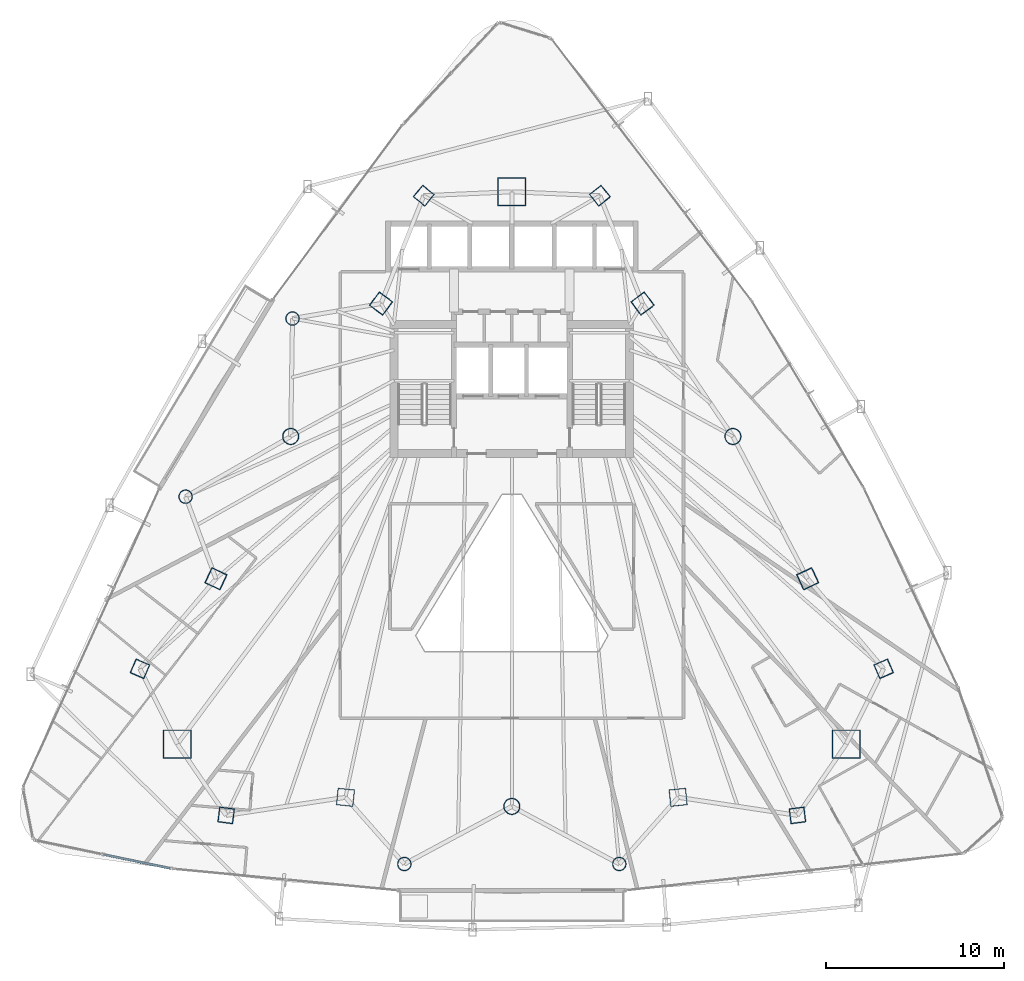
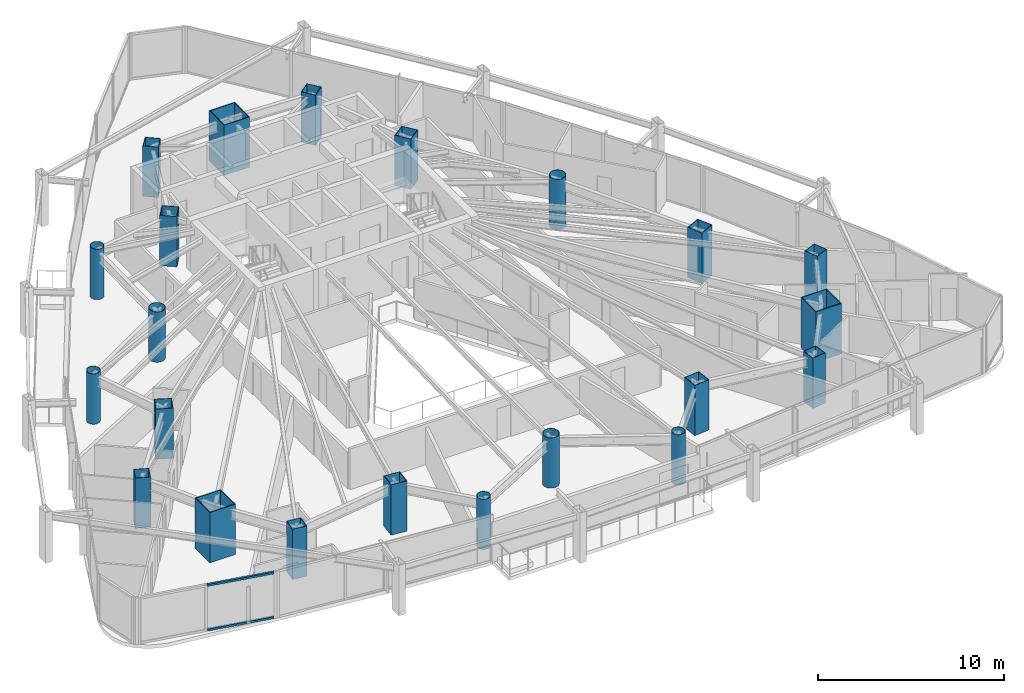
# One storey, part 1 of 34: 22 columns, 2 members, 1 element without a shape of its own.
"""IFC4 building model written with IfcOpenShell, lengths in metres."""

from ifc_helpers import new_model, si_unit, direction, frame, origin, origin_2d, place, context, subcontext, project, spatial, hollow_rectangle, hollow_circle, extrude, material, layer, layer_set, material_profile, profile_set, type_object, element, aggregate, save


model = new_model("IFC4")

# Units and contexts
model_context = context("Model", 3, precision=1e-05, world=origin(), true_north=direction((0.0, 1.0)))
body_context = subcontext(model_context, "Body", "Model", "MODEL_VIEW")
ifc_project = project(units=[si_unit("LENGTHUNIT", "METRE"), si_unit("AREAUNIT", "SQUARE_METRE"), si_unit("VOLUMEUNIT", "CUBIC_METRE"), si_unit("PLANEANGLEUNIT", "RADIAN"), si_unit("MASSUNIT", "GRAM", prefix="KILO")], contexts=[model_context])

# Site, building, storey
site_placement = place(None, origin())
site = spatial("IfcSite", under=ifc_project, at=site_placement, CompositionType="ELEMENT")
building_placement = place(site_placement, origin())
building = spatial("IfcBuilding", under=site, at=building_placement, Name="Orvanel Arch Residences", CompositionType="ELEMENT")
storey_placement = place(building_placement, frame((0.0, 0.0, 74.14990234375)))
storey = spatial("IfcBuildingStorey", under=building, at=storey_placement, Name="L20", CompositionType="ELEMENT", Elevation=74.14990234375)

# Columns
ifc_material_1 = material(Name="Structural steel AS/NZS 1163 C450L0 (Grade 450)", Category="steel")
ifc_material_profile_1 = material_profile(ifc_material_1, hollow_circle(Radius=0.381103515625, WallThickness=0.02197265625, at=origin_2d()), Name="CHS762x22")
ifc_profile_set_1 = profile_set([ifc_material_profile_1], Name="Structural steel AS/NZS 1163 C450L0 (Grade 450)")
column_type_1 = type_object("IfcColumnType", Name="CC-762", PredefinedType="COLUMN", material=ifc_profile_set_1)
for number, where, z_axis, x_axis, name in (
    (1, (20.669921875, 34.27099609375, 0.0), (0.0, 0.0, 1.0), (1.0, 0.0, 0.0), "L20 Low-Rise Buttress Tube Column 01"),
    (2, (14.662109375, 24.256103515625, 0.0), (0.0, 0.0, 1.0), (1.0, 0.0, 0.0), "L20 Low-Rise Buttress Tube Column 02"),
    (3, (26.9580078125, 3.60498046875, 0.0), (0.0, 0.0, 1.0), (1.0, 0.0, 0.0), "L20 Low-Rise Buttress Tube Column 03"),
    (4, (39.0419921875, 3.60498046875, 0.0), (0.0, 0.0, 1.0), (1.0, 0.0, 0.0), "L20 Low-Rise Buttress Tube Column 04"),
):
    element("IfcColumn", number, at=place(storey_placement, frame(where, z_axis=z_axis, x_axis=x_axis)), inside=storey, type_object=column_type_1, Name=name, PredefinedType="COLUMN", context=body_context, shape_type="SweptSolid", body=[
        extrude(hollow_circle(Radius=0.381103515625, WallThickness=0.02197265625, at=origin_2d()), origin(), (0.0, 0.0, 1.0), 3.300048828125),
    ])
ifc_material_profile_2 = material_profile(ifc_material_1, hollow_circle(Radius=0.45703125, WallThickness=0.02490234375, at=origin_2d()), Name="CHS914x25")
ifc_profile_set_2 = profile_set([ifc_material_profile_2], Name="Structural steel AS/NZS 1163 C450L0 (Grade 450)")
column_type_2 = type_object("IfcColumnType", Name="CC-914", PredefinedType="COLUMN", material=ifc_profile_set_2)
for number, where, z_axis, x_axis, name in (
    (5, (20.569091796875, 27.64111328125, 0.0), (0.0, 0.0, 1.0), (1.0, 0.0, 0.0), "L20 High-Rise Tube Column 02"),
    (6, (33.0, 6.843994140625, 0.0), (0.0, 0.0, 1.0), (1.0, 0.0, 0.0), "L20 High-Rise Tube Column 05"),
    (7, (45.430908203125, 27.64111328125, 0.0), (0.0, 0.0, 1.0), (1.0, 0.0, 0.0), "L20 High-Rise Tube Column 08"),
):
    element("IfcColumn", number, at=place(storey_placement, frame(where, z_axis=z_axis, x_axis=x_axis)), inside=storey, type_object=column_type_2, Name=name, PredefinedType="COLUMN", context=body_context, shape_type="SweptSolid", body=[
        extrude(hollow_circle(Radius=0.45703125, WallThickness=0.02490234375, at=origin_2d()), origin(), (0.0, 0.0, 1.0), 3.300048828125),
    ])
ifc_material_2 = material(Name="Structural steel AS/NZS 3678 Grade 450", Category="steel")
ifc_material_profile_3 = material_profile(ifc_material_2, hollow_rectangle(XDim=1.60009765625, YDim=1.60009765625, WallThickness=0.050048828125, at=origin_2d()), Name="BOX1600x1600x50")
ifc_profile_set_3 = profile_set([ifc_material_profile_3], Name="Structural steel AS/NZS 3678 Grade 450")
column_type_3 = type_object("IfcColumnType", Name="MC-1600", PredefinedType="COLUMN", material=ifc_profile_set_3)
for number, where, z_axis, x_axis, name in (
    (8, (33.0, 41.39794921875, 0.0), (0.0, 0.0, 1.0), (1.0, 0.0, 0.0), "L20 Corner Mega-Column 1"),
    (9, (14.198974609375, 10.35107421875, 0.0), (0.0, 0.0, 1.0), (1.0, 0.0, 0.0), "L20 Corner Mega-Column 2"),
    (10, (51.801025390625, 10.35107421875, 0.0), (0.0, 0.0, 1.0), (1.0, 0.0, 0.0), "L20 Corner Mega-Column 3"),
):
    element("IfcColumn", number, at=place(storey_placement, frame(where, z_axis=z_axis, x_axis=x_axis)), inside=storey, type_object=column_type_3, Name=name, PredefinedType="COLUMN", context=body_context, shape_type="SweptSolid", body=[
        extrude(hollow_rectangle(XDim=1.60009765625, YDim=1.60009765625, WallThickness=0.050048828125, at=origin_2d()), origin(), (0.0, 0.0, 1.0), 3.300048828125),
    ])
ifc_material_3 = material(Name="Structural steel AS/NZS 3678 Grade 350", Category="steel")
ifc_material_profile_4 = material_profile(ifc_material_3, hollow_rectangle(XDim=0.85009765625, YDim=0.85009765625, WallThickness=0.028076171875, at=origin_2d()), Name="BOX850x850x28")
ifc_profile_set_4 = profile_set([ifc_material_profile_4], Name="Structural steel AS/NZS 3678 Grade 350")
column_type_4 = type_object("IfcColumnType", Name="TC-850", PredefinedType="COLUMN", material=ifc_profile_set_4)
for number, where, z_axis, x_axis, name in (
    (11, (28.050048828125, 41.177978515625, 0.0), (0.0, 0.0, 1.0), (0.623879596709, 0.781520472419, 0.0), "L20 Mid-Rise Buttress Tube Column 01"),
    (12, (12.094970703125, 14.580078125, 0.0), (0.0, 0.0, 1.0), (0.397147890635, 0.917754625684, 0.0), "L20 Mid-Rise Buttress Tube Column 02"),
    (13, (16.94091796875, 6.339111328125, 0.0), (0.0, 0.0, 1.0), (-0.99189444259, 0.127064608601, 0.0), "L20 Mid-Rise Buttress Tube Column 03"),
    (14, (49.05908203125, 6.339111328125, 0.0), (0.0, 0.0, 1.0), (0.99189444259, 0.127064608601, 0.0), "L20 Mid-Rise Buttress Tube Column 04"),
    (15, (53.905029296875, 14.580078125, 0.0), (0.0, 0.0, 1.0), (-0.397147890635, 0.917754625684, 0.0), "L20 Mid-Rise Buttress Tube Column 05"),
    (16, (37.949951171875, 41.177978515625, 0.0), (0.0, 0.0, 1.0), (-0.623879596709, 0.781520472419, 0.0), "L20 Mid-Rise Buttress Tube Column 06"),
):
    element("IfcColumn", number, at=place(storey_placement, frame(where, z_axis=z_axis, x_axis=x_axis)), inside=storey, type_object=column_type_4, Name=name, PredefinedType="COLUMN", context=body_context, shape_type="SweptSolid", body=[
        extrude(hollow_rectangle(XDim=0.85009765625, YDim=0.85009765625, WallThickness=0.028076171875, at=origin_2d()), origin(), (0.0, 0.0, 1.0), 3.300048828125),
    ])
ifc_material_profile_5 = material_profile(ifc_material_3, hollow_rectangle(XDim=0.949951171875, YDim=0.949951171875, WallThickness=0.031982421875, at=origin_2d()), Name="BOX950x950x32")
ifc_profile_set_5 = profile_set([ifc_material_profile_5], Name="Structural steel AS/NZS 3678 Grade 350")
column_type_5 = type_object("IfcColumnType", Name="TC-950", PredefinedType="COLUMN", material=ifc_profile_set_5)
for number, where, z_axis, x_axis, name in (
    (17, (25.64794921875, 35.113037109375, 0.0), (0.0, 0.0, 1.0), (0.600420225326, 0.799684658487, 0.0), "L20 High-Rise Tube Column 01"),
    (18, (16.366943359375, 19.64208984375, 0.0), (0.0, 0.0, 1.0), (0.422618261741, 0.906307787037, 0.0), "L20 High-Rise Tube Column 03"),
    (19, (23.64892578125, 7.35498046875, 0.0), (0.0, 0.0, 1.0), (-0.994880708829, 0.101056297183, 0.0), "L20 High-Rise Tube Column 04"),
    (20, (42.35107421875, 7.35498046875, 0.0), (0.0, 0.0, 1.0), (0.994880708829, 0.101056297183, 0.0), "L20 High-Rise Tube Column 06"),
    (21, (49.633056640625, 19.64208984375, 0.0), (0.0, 0.0, 1.0), (-0.422618261741, 0.906307787037, 0.0), "L20 High-Rise Tube Column 07"),
    (22, (40.35205078125, 35.113037109375, 0.0), (0.0, 0.0, 1.0), (-0.600420225326, 0.799684658487, 0.0), "L20 High-Rise Tube Column 09"),
):
    element("IfcColumn", number, at=place(storey_placement, frame(where, z_axis=z_axis, x_axis=x_axis)), inside=storey, type_object=column_type_5, Name=name, PredefinedType="COLUMN", context=body_context, shape_type="SweptSolid", body=[
        extrude(hollow_rectangle(XDim=0.949951171875, YDim=0.949951171875, WallThickness=0.031982421875, at=origin_2d()), origin(), (0.0, 0.0, 1.0), 3.300048828125),
    ])

# Curtain wall, members
ifc_material_4 = material(Name="Bronze-anodised aluminium AA6063-T6", Category="aluminium")
ifc_layer = layer(ifc_material_4, 0.18994140625)
ifc_layer_set = layer_set([ifc_layer], Name="Bronze-anodised aluminium AA6063-T6")
curtain_wall_type = type_object("IfcCurtainWallType", Name="CW5-CRN-SYS", PredefinedType="NOTDEFINED", material=ifc_layer_set)
curtain_wall_placement = place(storey_placement, origin())
curtain_wall = element("IfcCurtainWall", 23, at=curtain_wall_placement, inside=storey, type_object=curtain_wall_type, Name="L20 CW5-CRN-SYS Unitised Curtain Wall", PredefinedType="NOTDEFINED")
ifc_material_profile_6 = material_profile(ifc_material_4, hollow_rectangle(XDim=0.1298828125, YDim=0.1298828125, WallThickness=0.00439453125, at=origin_2d()), Name="ALU130x130x4.5")
ifc_profile_set_6 = profile_set([ifc_material_profile_6], Name="Bronze-anodised aluminium AA6063-T6")
member_type = type_object("IfcMemberType", Name="TRN-130x130", PredefinedType="USERDEFINED", material=ifc_profile_set_6)
member_1_placement = place(storey_placement, frame((10.099365234375, 4.130859375, 0.065185546875), z_axis=(0.979114380147, -0.20331018319, 0.0), x_axis=(0.20331018319, 0.979114380147, 0.0)))
member_1 = element("IfcMember", 24, at=member_1_placement, type_object=member_type, Name="CW-S5 transom 2.1", ObjectType="TRANSOM", PredefinedType="USERDEFINED", context=body_context, shape_type="SweptSolid", body=[
    extrude(hollow_rectangle(XDim=0.1298828125, YDim=0.1298828125, WallThickness=0.00439453125, at=origin_2d()), origin(), (0.0, 0.0, 1.0), 3.769287109375),
])
member_2_placement = place(storey_placement, frame((10.099365234375, 4.130859375, 2.9951171875), z_axis=(0.979114380147, -0.20331018319, 0.0), x_axis=(0.20331018319, 0.979114380147, 0.0)))
member_2 = element("IfcMember", 25, at=member_2_placement, type_object=member_type, Name="CW-S5 transom 2.2", ObjectType="TRANSOM", PredefinedType="USERDEFINED", context=body_context, shape_type="SweptSolid", body=[
    extrude(hollow_rectangle(XDim=0.1298828125, YDim=0.1298828125, WallThickness=0.00439453125, at=origin_2d()), origin(), (0.0, 0.0, 1.0), 3.769287109375),
])
aggregate(curtain_wall, [member_1, member_2])

save(model, "model.ifc")
